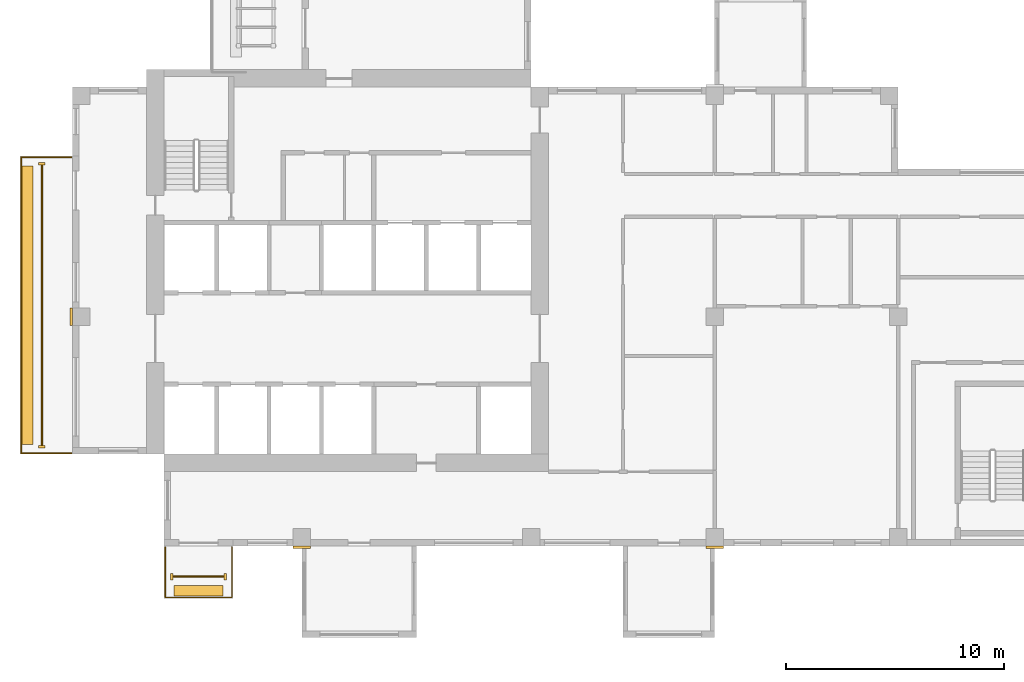
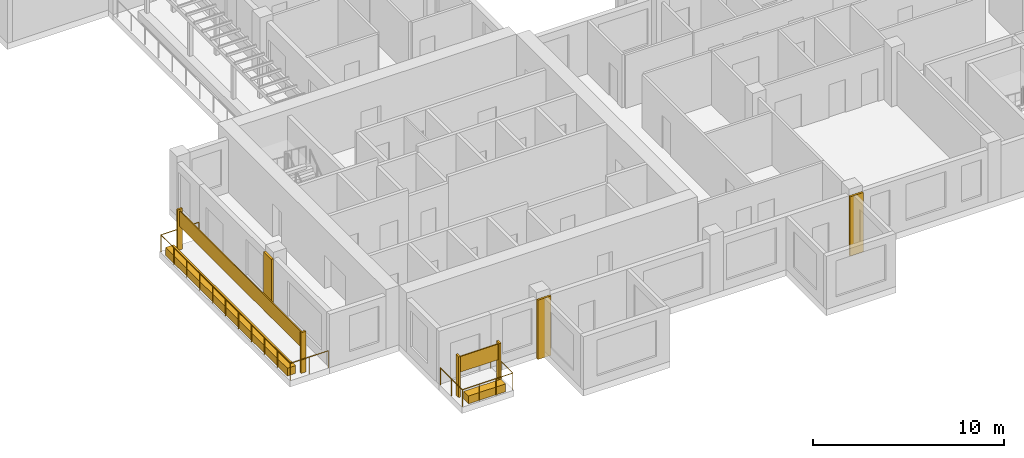
# One storey, part 11 of 14: 11 coverings, 2 railings.
"""IFC4 building model written with IfcOpenShell, lengths in metres."""

from ifc_helpers import new_model, si_unit, direction, frame, origin, origin_2d, place, context, subcontext, project, spatial, rectangle, circle, extrude, source, transform, mapped, material, type_object, element, save


model = new_model("IFC4")

# Units and contexts
model_context = context("Model", 3, precision=1e-05, world=origin(), true_north=direction((0.0, 1.0)))
body_context = subcontext(model_context, "Body", "Model", "MODEL_VIEW")
ifc_project = project(units=[si_unit("LENGTHUNIT", "METRE"), si_unit("AREAUNIT", "SQUARE_METRE"), si_unit("VOLUMEUNIT", "CUBIC_METRE"), si_unit("PLANEANGLEUNIT", "RADIAN"), si_unit("MASSUNIT", "GRAM", prefix="KILO")], contexts=[model_context])

# Site, building, storey
site_placement = place(None, origin())
site = spatial("IfcSite", under=ifc_project, at=site_placement, CompositionType="ELEMENT")
building_placement = place(site_placement, origin())
building = spatial("IfcBuilding", under=site, at=building_placement, Name="Aurelian Terraces", CompositionType="ELEMENT")
storey_placement = place(building_placement, frame((0.0, 0.0, 231.0)))
storey = spatial("IfcBuildingStorey", under=building, at=storey_placement, Name="L52", CompositionType="ELEMENT", Elevation=231.0)

# Coverings
ifc_material_1 = material(Name="Terracotta rainscreen cladding relief", Category="masonry")
covering_type_1 = type_object("IfcCoveringType", Name="FIN-TC", PredefinedType="CLADDING", material=ifc_material_1)
shared_shape_1 = source(origin(), body_context, "Body", "SweptSolid", [
    extrude(rectangle(XDim=0.3, YDim=0.12, at=origin_2d()), origin(), (0.0, 0.0, 1.0), 2.6),
])
for number, where, z_axis, x_axis, name in (
    (1, (-1.4, 17.5, 0.0), (0.0, 0.0, 1.0), (1.0, 0.0, 0.0), "FIN L52 L52-F22-37.1"),
    (2, (-1.4, 4.55, 0.0), (0.0, 0.0, 1.0), (1.0, 0.0, 0.0), "FIN L52 L52-F22-37.2"),
):
    element("IfcCovering", number, at=place(storey_placement, frame(where, z_axis=z_axis, x_axis=x_axis)), inside=storey, type_object=covering_type_1, Name=name, PredefinedType="CLADDING", context=body_context, shape_type="MappedRepresentation", body=[
        mapped(shared_shape_1, transform((0.0, 0.0, 0.0), scale=1.0)),
    ])
shared_shape_2 = source(origin(), body_context, "Body", "SweptSolid", [
    extrude(rectangle(XDim=0.12, YDim=0.3, at=origin_2d()), origin(), (0.0, 0.0, 1.0), 2.6),
])
for number, where, z_axis, x_axis, name in (
    (3, (4.55, -1.4, 0.0), (0.0, 0.0, 1.0), (1.0, 0.0, 0.0), "FIN L52 L52-F01-01.1"),
    (4, (7.0, -1.4, 0.0), (0.0, 0.0, 1.0), (1.0, 0.0, 0.0), "FIN L52 L52-F01-01.2"),
):
    element("IfcCovering", number, at=place(storey_placement, frame(where, z_axis=z_axis, x_axis=x_axis)), inside=storey, type_object=covering_type_1, Name=name, PredefinedType="CLADDING", context=body_context, shape_type="MappedRepresentation", body=[
        mapped(shared_shape_2, transform((0.0, 0.0, 0.0), scale=1.0)),
    ])

# Railing
ifc_material_2 = material(Name="Anodised aluminium", Category="aluminium")
railing_type = type_object("IfcRailingType", Name="GUARD-1100", PredefinedType="GUARDRAIL", material=ifc_material_2)
shared_shape_3 = source(origin(), body_context, "Body", "SweptSolid", [
    extrude(circle(Radius=0.024, at=origin_2d()), frame((0.0, 0.0, 1.076), z_axis=(-1.0, 0.0, 0.0), x_axis=(0.0, -1.0, 0.0)), (0.0, 0.0, 1.0), 2.3),
    extrude(circle(Radius=0.024, at=origin_2d()), frame((-2.3, 0.0, 1.076), z_axis=(0.0, -1.0, 0.0), x_axis=(1.0, 0.0, 0.0)), (0.0, 0.0, 1.0), 13.55),
    extrude(circle(Radius=0.024, at=origin_2d()), frame((-2.3, -13.55, 1.076), z_axis=(1.0, 0.0, 0.0), x_axis=(0.0, 1.0, 0.0)), (0.0, 0.0, 1.0), 2.3),
    extrude(circle(Radius=0.021, at=origin_2d()), origin(), (0.0, 0.0, 1.0), 1.052),
    extrude(circle(Radius=0.021, at=origin_2d()), frame((-1.15, 0.0, 0.0)), (0.0, 0.0, 1.0), 1.052),
    extrude(circle(Radius=0.021, at=origin_2d()), frame((-2.3, 0.0, 0.0)), (0.0, 0.0, 1.0), 1.052),
    extrude(circle(Radius=0.021, at=origin_2d()), frame((-2.3, -1.355, 0.0)), (0.0, 0.0, 1.0), 1.052),
    extrude(circle(Radius=0.021, at=origin_2d()), frame((-2.3, -2.71, 0.0)), (0.0, 0.0, 1.0), 1.052),
    extrude(circle(Radius=0.021, at=origin_2d()), frame((-2.3, -4.065, 0.0)), (0.0, 0.0, 1.0), 1.052),
    extrude(circle(Radius=0.021, at=origin_2d()), frame((-2.3, -5.42, 0.0)), (0.0, 0.0, 1.0), 1.052),
    extrude(circle(Radius=0.021, at=origin_2d()), frame((-2.3, -6.775, 0.0)), (0.0, 0.0, 1.0), 1.052),
    extrude(circle(Radius=0.021, at=origin_2d()), frame((-2.3, -8.13, 0.0)), (0.0, 0.0, 1.0), 1.052),
    extrude(circle(Radius=0.021, at=origin_2d()), frame((-2.3, -9.485, 0.0)), (0.0, 0.0, 1.0), 1.052),
    extrude(circle(Radius=0.021, at=origin_2d()), frame((-2.3, -10.84, 0.0)), (0.0, 0.0, 1.0), 1.052),
    extrude(circle(Radius=0.021, at=origin_2d()), frame((-2.3, -12.195, 0.0)), (0.0, 0.0, 1.0), 1.052),
    extrude(circle(Radius=0.021, at=origin_2d()), frame((-2.3, -13.55, 0.0)), (0.0, 0.0, 1.0), 1.052),
    extrude(circle(Radius=0.021, at=origin_2d()), frame((-1.15, -13.55, 0.0)), (0.0, 0.0, 1.0), 1.052),
    extrude(circle(Radius=0.021, at=origin_2d()), frame((0.0, -13.55, 0.0)), (0.0, 0.0, 1.0), 1.052),
])
railing_1_placement = place(storey_placement, frame((-0.05, 17.8, 0.0)))
element("IfcRailing", 5, at=railing_1_placement, inside=storey, type_object=railing_type, Name="Balcony guard L52 F22.37", PredefinedType="GUARDRAIL", context=body_context, shape_type="MappedRepresentation", body=[
    mapped(shared_shape_3, transform((0.0, 0.0, 0.0), scale=1.0)),
])

# Coverings
ifc_material_3 = material(Name="Terracotta planter with planting soil", Category="masonry")
covering_type_2 = type_object("IfcCoveringType", Name="PLANTER-TROUGH", PredefinedType="USERDEFINED", material=ifc_material_3)
shared_shape_4 = source(origin(), body_context, "Body", "SweptSolid", [
    extrude(rectangle(XDim=0.5, YDim=12.75, at=origin_2d()), origin(), (0.0, 0.0, 1.0), 0.5),
])
covering_1_placement = place(storey_placement, frame((-2.05, 11.025, 0.0), z_axis=(0.0, 0.0, 1.0), x_axis=(1.0, 0.0, 0.0)))
element("IfcCovering", 6, at=covering_1_placement, inside=storey, type_object=covering_type_2, Name="PLANTER L52 L52-F22-37", ObjectType="PLANTER", PredefinedType="USERDEFINED", context=body_context, shape_type="MappedRepresentation", body=[
    mapped(shared_shape_4, transform((0.0, 0.0, 0.0), scale=1.0)),
])
ifc_material_4 = material(Name="Terracotta rainscreen cladding", Category="masonry")
covering_type_3 = type_object("IfcCoveringType", Name="SCREEN-TC", PredefinedType="CLADDING", material=ifc_material_4)
shared_shape_5 = source(origin(), body_context, "Body", "SweptSolid", [
    extrude(rectangle(XDim=0.06, YDim=12.83, at=origin_2d()), origin(), (0.0, 0.0, 1.0), 1.0),
])
covering_2_placement = place(storey_placement, frame((-1.4, 11.025, 1.5), z_axis=(0.0, 0.0, 1.0), x_axis=(1.0, 0.0, 0.0)))
element("IfcCovering", 7, at=covering_2_placement, inside=storey, type_object=covering_type_3, Name="SCREEN L52 L52-F22-37", PredefinedType="CLADDING", context=body_context, shape_type="MappedRepresentation", body=[
    mapped(shared_shape_5, transform((0.0, 0.0, 0.0), scale=1.0)),
])

# Railing
shared_shape_6 = source(origin(), body_context, "Body", "SweptSolid", [
    extrude(circle(Radius=0.024, at=origin_2d()), frame((0.0, 0.0, 1.076), z_axis=(0.0, -1.0, 0.0), x_axis=(1.0, 0.0, 0.0)), (0.0, 0.0, 1.0), 2.3),
    extrude(circle(Radius=0.024, at=origin_2d()), frame((0.0, -2.3, 1.076), z_axis=(1.0, 0.0, 0.0), x_axis=(0.0, 1.0, 0.0)), (0.0, 0.0, 1.0), 3.05),
    extrude(circle(Radius=0.024, at=origin_2d()), frame((3.05, -2.3, 1.076), z_axis=(0.0, 1.0, 0.0), x_axis=(-1.0, 0.0, 0.0)), (0.0, 0.0, 1.0), 2.3),
    extrude(circle(Radius=0.021, at=origin_2d()), origin(), (0.0, 0.0, 1.0), 1.052),
    extrude(circle(Radius=0.021, at=origin_2d()), frame((0.0, -1.15, 0.0)), (0.0, 0.0, 1.0), 1.052),
    extrude(circle(Radius=0.021, at=origin_2d()), frame((0.0, -2.3, 0.0)), (0.0, 0.0, 1.0), 1.052),
    extrude(circle(Radius=0.021, at=origin_2d()), frame((1.0167, -2.3, 0.0)), (0.0, 0.0, 1.0), 1.052),
    extrude(circle(Radius=0.021, at=origin_2d()), frame((2.0333, -2.3, 0.0)), (0.0, 0.0, 1.0), 1.052),
    extrude(circle(Radius=0.021, at=origin_2d()), frame((3.05, -2.3, 0.0)), (0.0, 0.0, 1.0), 1.052),
    extrude(circle(Radius=0.021, at=origin_2d()), frame((3.05, -1.15, 0.0)), (0.0, 0.0, 1.0), 1.052),
    extrude(circle(Radius=0.021, at=origin_2d()), frame((3.05, 0.0, 0.0)), (0.0, 0.0, 1.0), 1.052),
])
railing_2_placement = place(storey_placement, frame((4.25, -0.05, 0.0)))
element("IfcRailing", 8, at=railing_2_placement, inside=storey, type_object=railing_type, Name="Balcony guard L52 F01.1", PredefinedType="GUARDRAIL", context=body_context, shape_type="MappedRepresentation", body=[
    mapped(shared_shape_6, transform((0.0, 0.0, 0.0), scale=1.0)),
])

# Coverings
shared_shape_7 = source(origin(), body_context, "Body", "SweptSolid", [
    extrude(rectangle(XDim=2.25, YDim=0.5, at=origin_2d()), origin(), (0.0, 0.0, 1.0), 0.5),
])
covering_3_placement = place(storey_placement, frame((5.775, -2.05, 0.0), z_axis=(0.0, 0.0, 1.0), x_axis=(1.0, 0.0, 0.0)))
element("IfcCovering", 9, at=covering_3_placement, inside=storey, type_object=covering_type_2, Name="PLANTER L52 L52-F01-01", ObjectType="PLANTER", PredefinedType="USERDEFINED", context=body_context, shape_type="MappedRepresentation", body=[
    mapped(shared_shape_7, transform((0.0, 0.0, 0.0), scale=1.0)),
])
shared_shape_8 = source(origin(), body_context, "Body", "SweptSolid", [
    extrude(rectangle(XDim=2.33, YDim=0.06, at=origin_2d()), origin(), (0.0, 0.0, 1.0), 1.0),
])
covering_4_placement = place(storey_placement, frame((5.775, -1.4, 1.5), z_axis=(0.0, 0.0, 1.0), x_axis=(1.0, 0.0, 0.0)))
element("IfcCovering", 10, at=covering_4_placement, inside=storey, type_object=covering_type_3, Name="SCREEN L52 L52-F01-01", PredefinedType="CLADDING", context=body_context, shape_type="MappedRepresentation", body=[
    mapped(shared_shape_8, transform((0.0, 0.0, 0.0), scale=1.0)),
])
covering_type_4 = type_object("IfcCoveringType", Name="BAGUETTE-TC", PredefinedType="CLADDING", material=ifc_material_1)
shared_shape_9 = source(origin(), body_context, "Body", "SweptSolid", [
    extrude(rectangle(XDim=0.8, YDim=0.12, at=origin_2d()), origin(), (0.0, 0.0, 1.0), 3.8),
])
for number, where, z_axis, x_axis, name in (
    (11, (10.5, -0.06, -0.4), (0.0, 0.0, 1.0), (1.0, 0.0, 0.0), "BAGUETTE pier L52 1"),
    (12, (29.4, -0.06, -0.4), (0.0, 0.0, 1.0), (1.0, 0.0, 0.0), "BAGUETTE pier L52 2"),
):
    element("IfcCovering", number, at=place(storey_placement, frame(where, z_axis=z_axis, x_axis=x_axis)), inside=storey, type_object=covering_type_4, Name=name, PredefinedType="CLADDING", context=body_context, shape_type="MappedRepresentation", body=[
        mapped(shared_shape_9, transform((0.0, 0.0, 0.0), scale=1.0)),
    ])
shared_shape_10 = source(origin(), body_context, "Body", "SweptSolid", [
    extrude(rectangle(XDim=0.12, YDim=0.8, at=origin_2d()), origin(), (0.0, 0.0, 1.0), 3.8),
])
covering_5_placement = place(storey_placement, frame((-0.06, 10.5, -0.4), z_axis=(0.0, 0.0, 1.0), x_axis=(1.0, 0.0, 0.0)))
element("IfcCovering", 13, at=covering_5_placement, inside=storey, type_object=covering_type_4, Name="BAGUETTE pier L52 4", PredefinedType="CLADDING", context=body_context, shape_type="MappedRepresentation", body=[
    mapped(shared_shape_10, transform((0.0, 0.0, 0.0), scale=1.0)),
])

save(model, "model.ifc")
